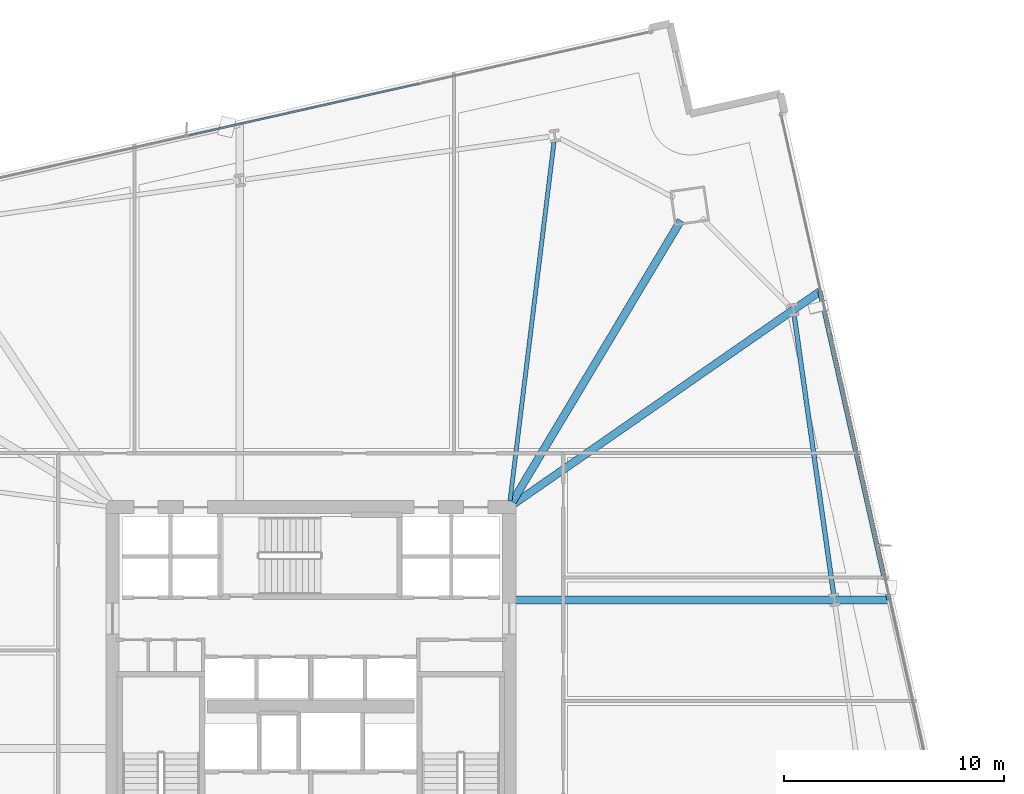
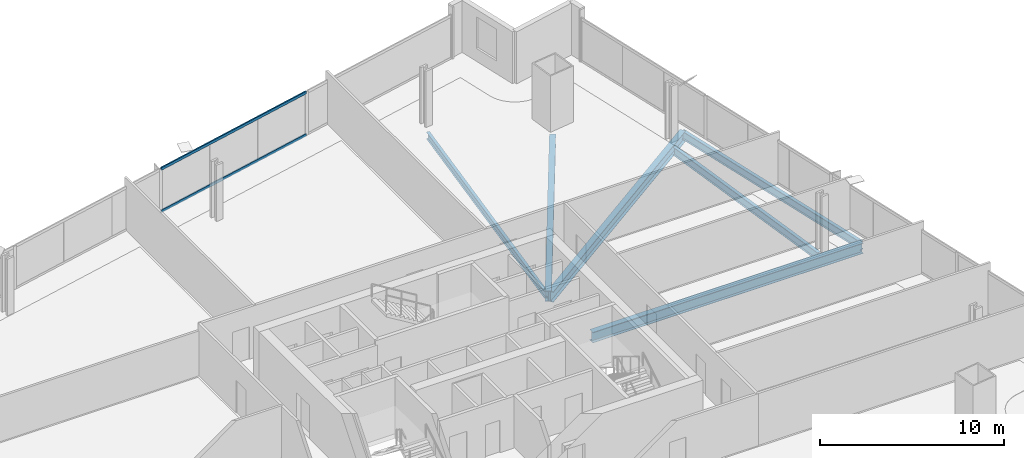
# One storey, part 18 of 32: 6 beams, 2 members, 1 element without a shape of its own.
"""IFC4 building model written with IfcOpenShell, lengths in metres."""

from ifc_helpers import new_model, si_unit, direction, frame, origin, origin_2d, place, context, subcontext, project, spatial, hollow_rectangle, i_section, extrude, material, material_profile, profile_set, type_object, element, aggregate, save


model = new_model("IFC4")

# Units and contexts
model_context = context("Model", 3, precision=1e-05, world=origin(), true_north=direction((0.0, 1.0)))
body_context = subcontext(model_context, "Body", "Model", "MODEL_VIEW")
ifc_project = project(units=[si_unit("LENGTHUNIT", "METRE"), si_unit("AREAUNIT", "SQUARE_METRE"), si_unit("VOLUMEUNIT", "CUBIC_METRE"), si_unit("PLANEANGLEUNIT", "RADIAN"), si_unit("MASSUNIT", "GRAM", prefix="KILO")], contexts=[model_context])

# Site, building, storey
site_placement = place(None, origin())
site = spatial("IfcSite", under=ifc_project, at=site_placement, CompositionType="ELEMENT")
building_placement = place(site_placement, origin())
building = spatial("IfcBuilding", under=site, at=building_placement, Name="Haldenkirk Collegiate Tower", CompositionType="ELEMENT")
storey_placement = place(building_placement, frame((0.0, 0.0, 70.199951171875)))
storey = spatial("IfcBuildingStorey", under=building, at=storey_placement, Name="L16", CompositionType="ELEMENT", Elevation=70.199951171875)

# Beams
ifc_material_1 = material(Name="Steel ASTM A992 Grade 50", Category="steel")
ifc_material_profile_1 = material_profile(ifc_material_1, i_section(OverallWidth=0.35498046875, OverallDepth=0.696044921875, WebThickness=0.015380859375, FlangeThickness=0.02490234375, at=origin_2d()), Name="W27X146")
ifc_profile_set_1 = profile_set([ifc_material_profile_1], Name="Steel ASTM A992 Grade 50")
beam_type_1 = type_object("IfcBeamType", Name="BM-GIRDER-W27X146", PredefinedType="BEAM", material=ifc_profile_set_1)
beam_1_placement = place(storey_placement, frame((52.783935546875, 47.000732421875, -0.657958984375), z_axis=(-0.513696499257, -0.857971973115, 0.0), x_axis=(0.857971973115, -0.513696499257, 0.0)))
element("IfcBeam", 1, at=beam_1_placement, inside=storey, type_object=beam_type_1, Name="L16 primary floor girder 03", PredefinedType="BEAM", context=body_context, shape_type="SweptSolid", body=[
    extrude(i_section(OverallWidth=0.35498046875, OverallDepth=0.696044921875, WebThickness=0.015380859375, FlangeThickness=0.02490234375, at=origin_2d()), origin(), (0.0, 0.0, 1.0), 14.872802734375),
])
beam_2_placement = place(storey_placement, frame((62.2373046875, 29.788818359375, -0.657958984375), z_axis=(-1.0, 0.0, 0.0), x_axis=(0.0, -1.0, 0.0)))
element("IfcBeam", 2, at=beam_2_placement, inside=storey, type_object=beam_type_1, Name="L16 primary floor girder 09", PredefinedType="BEAM", context=body_context, shape_type="SweptSolid", body=[
    extrude(i_section(OverallWidth=0.35498046875, OverallDepth=0.696044921875, WebThickness=0.015380859375, FlangeThickness=0.02490234375, at=origin_2d()), origin(), (0.0, 0.0, 1.0), 16.957275390625),
])
beam_3_placement = place(storey_placement, frame((59.095947265625, 43.7841796875, -0.657958984375), z_axis=(-0.821498511961, -0.570210658306, 0.0), x_axis=(0.570210658306, -0.821498511961, 0.0)))
element("IfcBeam", 3, at=beam_3_placement, inside=storey, type_object=beam_type_1, Name="L16 primary floor girder 10", PredefinedType="BEAM", context=body_context, shape_type="SweptSolid", body=[
    extrude(i_section(OverallWidth=0.35498046875, OverallDepth=0.696044921875, WebThickness=0.015380859375, FlangeThickness=0.02490234375, at=origin_2d()), origin(), (0.0, 0.0, 1.0), 16.87890625),
])
ifc_material_profile_2 = material_profile(ifc_material_1, i_section(OverallWidth=0.19189453125, OverallDepth=0.462890625, WebThickness=0.010498046875, FlangeThickness=0.017578125, at=origin_2d()), Name="W18X60")
ifc_profile_set_2 = profile_set([ifc_material_profile_2], Name="Steel ASTM A992 Grade 50")
beam_type_2 = type_object("IfcBeamType", Name="BM-JOIST-W18X60", PredefinedType="JOIST", material=ifc_profile_set_2)
beam_4_placement = place(storey_placement, frame((47.03369140625, 50.581787109375, -0.54150390625), z_axis=(-0.121727667568, -0.992563536983, 0.0), x_axis=(0.992563536983, -0.121727667568, 0.0)))
element("IfcBeam", 4, at=beam_4_placement, inside=storey, type_object=beam_type_2, Name="L16 composite floor joist 11", PredefinedType="JOIST", context=body_context, shape_type="SweptSolid", body=[
    extrude(i_section(OverallWidth=0.19189453125, OverallDepth=0.462890625, WebThickness=0.010498046875, FlangeThickness=0.017578125, at=origin_2d()), origin(), (0.0, 0.0, 1.0), 16.426025390625),
])
ifc_material_profile_3 = material_profile(ifc_material_1, i_section(OverallWidth=0.2119140625, OverallDepth=0.5439453125, WebThickness=0.01318359375, FlangeThickness=0.021240234375, at=origin_2d()), Name="W21X83")
ifc_profile_set_3 = profile_set([ifc_material_profile_3], Name="Steel ASTM A992 Grade 50")
beam_type_3 = type_object("IfcBeamType", Name="BM-SPANDREL-W21X83", PredefinedType="SPANDREL", material=ifc_profile_set_3)
beam_5_placement = place(storey_placement, frame((59.716552734375, 30.050537109375, -0.58203125), z_axis=(-0.140052642207, 0.990144058918, 0.0), x_axis=(-0.990144058918, -0.140052642207, 0.0)))
element("IfcBeam", 5, at=beam_5_placement, inside=storey, type_object=beam_type_3, Name="L16 perimeter spandrel beam 07", PredefinedType="SPANDREL", context=body_context, shape_type="SweptSolid", body=[
    extrude(i_section(OverallWidth=0.2119140625, OverallDepth=0.5439453125, WebThickness=0.01318359375, FlangeThickness=0.021240234375, at=origin_2d()), origin(), (0.0, 0.0, 1.0), 12.761962890625),
])
beam_6_placement = place(storey_placement, frame((62.2373046875, 29.788818359375, -0.58203125), z_axis=(-0.219007917848, 0.975723081576, 0.0), x_axis=(-0.975723081576, -0.219007917848, 0.0)))
element("IfcBeam", 6, at=beam_6_placement, inside=storey, type_object=beam_type_3, Name="L16 outer facade edge beam 2B", PredefinedType="SPANDREL", context=body_context, shape_type="SweptSolid", body=[
    extrude(i_section(OverallWidth=0.2119140625, OverallDepth=0.5439453125, WebThickness=0.01318359375, FlangeThickness=0.021240234375, at=origin_2d()), origin(), (0.0, 0.0, 1.0), 14.343505859375),
])

# Curtain wall, members
ifc_material_2 = material(Name="Anodised architectural bronze aluminium", Category="aluminium")
curtain_wall_type = type_object("IfcCurtainWallType", Name="CW-SYS1-CONVEX-LOW", PredefinedType="USERDEFINED", material=ifc_material_2)
curtain_wall_placement = place(storey_placement, origin())
curtain_wall = element("IfcCurtainWall", 7, at=curtain_wall_placement, inside=storey, type_object=curtain_wall_type, Name="L16 Lower tower convex bronze-framed unitised curtain wall", ObjectType="UNITISED CURTAIN WALL", PredefinedType="USERDEFINED")
ifc_material_profile_4 = material_profile(ifc_material_2, hollow_rectangle(XDim=0.080078125, YDim=0.179931640625, WallThickness=0.0048828125, at=origin_2d()), Name="CW-TRN-1A")
ifc_profile_set_4 = profile_set([ifc_material_profile_4], Name="Anodised architectural bronze aluminium")
member_type = type_object("IfcMemberType", Name="CW-TRN-1A", PredefinedType="USERDEFINED", material=ifc_profile_set_4)
member_1_placement = place(storey_placement, frame((30.461181640625, 50.860595703125, 0.0400390625), z_axis=(0.975727800399, 0.218986893508, 0.0), x_axis=(-0.218986893508, 0.975727800399, 0.0)))
member_1 = element("IfcMember", 8, at=member_1_placement, type_object=member_type, Name="CW-1A transom 3.1", ObjectType="TRANSOM", PredefinedType="USERDEFINED", context=body_context, shape_type="SweptSolid", body=[
    extrude(hollow_rectangle(XDim=0.080078125, YDim=0.179931640625, WallThickness=0.0048828125, at=origin_2d()), origin(), (0.0, 0.0, 1.0), 10.69482421875),
])
member_2_placement = place(storey_placement, frame((30.461181640625, 50.860595703125, 2.85107421875), z_axis=(0.975727800399, 0.218986893508, 0.0), x_axis=(-0.218986893508, 0.975727800399, 0.0)))
member_2 = element("IfcMember", 9, at=member_2_placement, type_object=member_type, Name="CW-1A transom 3.2", ObjectType="TRANSOM", PredefinedType="USERDEFINED", context=body_context, shape_type="SweptSolid", body=[
    extrude(hollow_rectangle(XDim=0.080078125, YDim=0.179931640625, WallThickness=0.0048828125, at=origin_2d()), origin(), (0.0, 0.0, 1.0), 10.69482421875),
])
aggregate(curtain_wall, [member_1, member_2])

save(model, "model.ifc")
